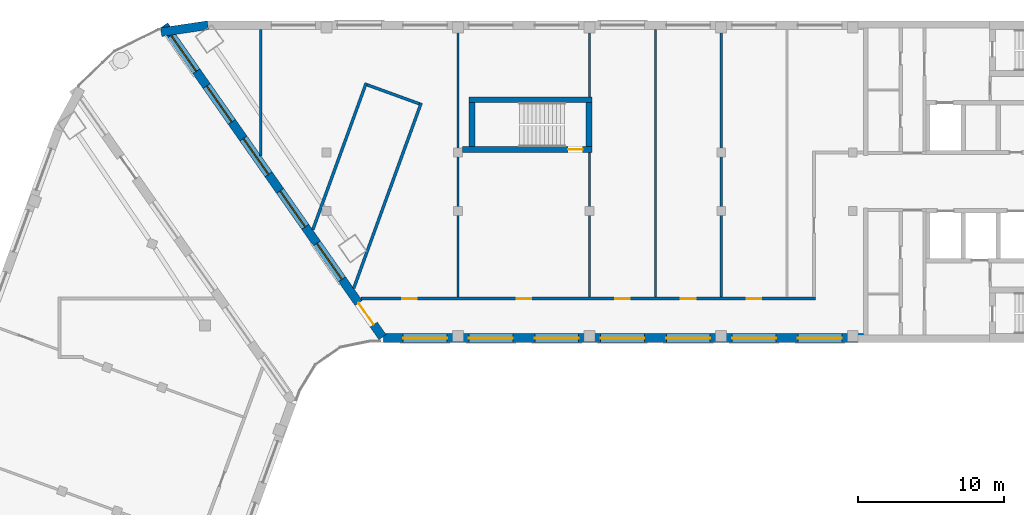
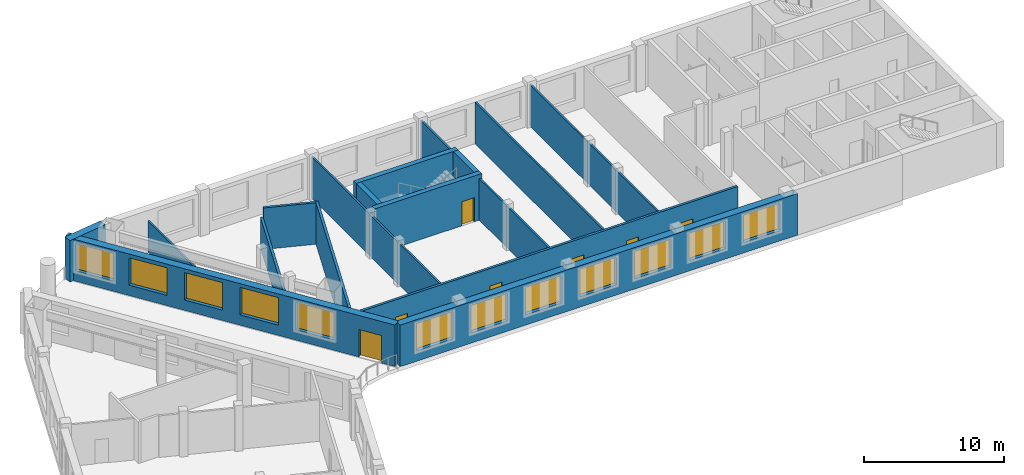
# One storey, part 4 of 11: 17 walls, 12 windows, 7 doors, 19 openings.
"""IFC4 building model written with IfcOpenShell, lengths in metres."""

from ifc_helpers import new_model, si_unit, direction, frame, frame_2d, origin, place, context, subcontext, project, spatial, rectangle, extrude, material, layer, layer_set, type_object, element, fill, save


model = new_model("IFC4")

# Units and contexts
model_context = context("Model", 3, precision=1e-05, world=origin(), true_north=direction((0.0, 1.0)))
body_context = subcontext(model_context, "Body", "Model", "MODEL_VIEW")
ifc_project = project(units=[si_unit("LENGTHUNIT", "METRE"), si_unit("AREAUNIT", "SQUARE_METRE"), si_unit("VOLUMEUNIT", "CUBIC_METRE"), si_unit("PLANEANGLEUNIT", "RADIAN"), si_unit("MASSUNIT", "GRAM", prefix="KILO")], contexts=[model_context])

# Site, building, storey
site_placement = place(None, origin())
site = spatial("IfcSite", under=ifc_project, at=site_placement, CompositionType="ELEMENT")
building_placement = place(site_placement, origin())
building = spatial("IfcBuilding", under=site, at=building_placement, Name="Skarvind Civic Tower", CompositionType="ELEMENT")
storey_placement = place(building_placement, frame((0.0, 0.0, 212.0)))
storey = spatial("IfcBuildingStorey", under=building, at=storey_placement, Name="L50", CompositionType="ELEMENT", Elevation=212.0)

# Wall, opening, door
ifc_material_1 = material(Name="Concrete C60", Category="concrete")
ifc_layer_1 = layer(ifc_material_1, 0.39990234375)
ifc_layer_set_1 = layer_set([ifc_layer_1], Name="Core wall 400 C60")
wall_type_1 = type_object("IfcWallType", Name="Core wall 400 C60", PredefinedType="SHEAR", material=ifc_layer_set_1)
wall_1_placement = place(storey_placement, frame((63.550048828125, 130.199951171875, 0.0), z_axis=(0.0, 0.0, 1.0), x_axis=(1.0, 0.0, 0.0)))
wall_1 = element("IfcWall", 1, at=wall_1_placement, inside=storey, type_object=wall_type_1, Name="Core wall CM inner L50", PredefinedType="SHEAR", context=body_context, shape_type="SweptSolid", body=[
    extrude(rectangle(XDim=8.849853515625, YDim=0.39990234375, at=frame_2d((4.4248046875, 0.0))), origin(), (0.0, 0.0, 1.0), 4.0),
])
opening_1_placement = place(wall_1_placement, frame((7.22509765625, 0.0, 0.0)))
opening_1 = element("IfcOpeningElement", 2, at=opening_1_placement, cuts=wall_1, Name="Opening D-L50-CM-01", PredefinedType="OPENING", context=body_context, shape_type="SweptSolid", body=[
    extrude(rectangle(XDim=1.0, YDim=2.10009765625, at=frame_2d((0.5, 1.050048828125))), frame((0.0, 0.2099609375, 0.0), z_axis=(0.0, -1.0, 0.0), x_axis=(1.0, 0.0, 0.0)), (0.0, 0.0, 1.0), 0.419921875),
])
ifc_material_2 = material(Name="Fire-rated steel door", Category="steel")
door_type_1 = type_object("IfcDoorType", Name="Fire door 1000", OperationType="NOTDEFINED", PredefinedType="DOOR", material=ifc_material_2)
door_1_placement = place(opening_1_placement, origin())
door_1 = element("IfcDoor", 3, at=door_1_placement, inside=storey, type_object=door_type_1, Name="Fire door", OperationType="SINGLE_SWING_LEFT", OverallHeight=2.10009765625, OverallWidth=1.0, PredefinedType="DOOR", context=body_context, shape_type="SweptSolid", body=[
    extrude(rectangle(XDim=1.0, YDim=2.10009765625, at=frame_2d((0.5, 1.050048828125))), frame((0.0, 0.02490234375, 0.0), z_axis=(0.0, -1.0, 0.0), x_axis=(1.0, 0.0, 0.0)), (0.0, 0.0, 1.0), 0.050048828125),
])
fill(opening_1, door_1)

# Walls
wall_2_placement = place(storey_placement, frame((64.0, 133.60009765625, 0.0), z_axis=(0.0, 0.0, 1.0), x_axis=(1.0, 0.0, 0.0)))
element("IfcWall", 4, at=wall_2_placement, inside=storey, type_object=wall_type_1, Name="Core wall CM outer L50", PredefinedType="SHEAR", context=body_context, shape_type="SweptSolid", body=[
    extrude(rectangle(XDim=8.39990234375, YDim=0.39990234375, at=frame_2d((4.199951171875, 0.0))), origin(), (0.0, 0.0, 1.0), 4.0),
])
for number, where, z_axis, x_axis, name in (
    (5, (64.199951171875, 130.39990234375, 0.0), (0.0, 0.0, 1.0), (0.0, 1.0, 0.0), "Core wall CM west L50"),
    (6, (72.199951171875, 130.39990234375, 0.0), (0.0, 0.0, 1.0), (0.0, 1.0, 0.0), "Core wall CM end L50"),
):
    element("IfcWall", number, at=place(storey_placement, frame(where, z_axis=z_axis, x_axis=x_axis)), inside=storey, type_object=wall_type_1, Name=name, PredefinedType="SHEAR", context=body_context, shape_type="SweptSolid", body=[
        extrude(rectangle(XDim=3.0, YDim=0.39990234375, at=frame_2d((1.5, 0.0))), origin(), (0.0, 0.0, 1.0), 4.0),
    ])
ifc_material_3 = material(Name="Fire-rated blockwork wall, plastered", Category="masonry")
ifc_layer_2 = layer(ifc_material_3, 0.199951171875)
ifc_layer_set_2 = layer_set([ifc_layer_2], Name="FIRE WALL 200 EI 60")
wall_type_2 = type_object("IfcWallType", Name="FIRE WALL 200 EI 60", PredefinedType="PARTITIONING", material=ifc_layer_set_2)
wall_3_placement = place(storey_placement, frame((53.31396484375, 124.702880859375, 0.0), z_axis=(0.0, 0.0, 1.0), x_axis=(0.341964791562, 0.939712765334, 0.0)))
element("IfcWall", 7, at=wall_3_placement, inside=storey, type_object=wall_type_2, Name="Portal partition L50 015", PredefinedType="PARTITIONING", context=body_context, shape_type="SweptSolid", body=[
    extrude(rectangle(XDim=10.69677734375, YDim=0.199951171875, at=frame_2d((5.348388671875, 0.0))), origin(), (0.0, 0.0, 1.0), 2.72509765625),
])
wall_4_placement = place(storey_placement, frame((56.114013671875, 120.7041015625, 0.0), z_axis=(0.0, 0.0, 1.0), x_axis=(0.342069822002, 0.939674537739, 0.0)))
element("IfcWall", 8, at=wall_4_placement, inside=storey, type_object=wall_type_2, Name="Portal partition L50 016", PredefinedType="PARTITIONING", context=body_context, shape_type="SweptSolid", body=[
    extrude(rectangle(XDim=13.4970703125, YDim=0.199951171875, at=frame_2d((6.74853515625, 0.0))), origin(), (0.0, 0.0, 1.0), 3.625),
])

# Wall, openings, doors
wall_5_placement = place(storey_placement, frame((56.60693359375, 120.0, 0.0), z_axis=(0.0, 0.0, 1.0), x_axis=(1.0, 0.0, 0.0)))
wall_5 = element("IfcWall", 9, at=wall_5_placement, inside=storey, type_object=wall_type_2, Name="Portal partition L50 017", PredefinedType="PARTITIONING", context=body_context, shape_type="SweptSolid", body=[
    extrude(rectangle(XDim=31.093017578125, YDim=0.199951171875, at=frame_2d((15.54638671875, 0.0))), origin(), (0.0, 0.0, 1.0), 3.625),
])
opening_2_placement = place(wall_5_placement, frame((2.822998046875, 0.0, 0.0)))
opening_2 = element("IfcOpeningElement", 10, at=opening_2_placement, cuts=wall_5, Name="Opening L50-D205", PredefinedType="OPENING", context=body_context, shape_type="SweptSolid", body=[
    extrude(rectangle(XDim=1.0, YDim=2.10009765625, at=frame_2d((0.5, 1.050048828125))), frame((0.0, 0.10986328125, 0.0), z_axis=(0.0, -1.0, 0.0), x_axis=(1.0, 0.0, 0.0)), (0.0, 0.0, 1.0), 0.219970703125),
])
opening_3_placement = place(wall_5_placement, frame((10.64306640625, 0.0, 0.0)))
opening_3 = element("IfcOpeningElement", 11, at=opening_3_placement, cuts=wall_5, Name="Opening L50-D206", PredefinedType="OPENING", context=body_context, shape_type="SweptSolid", body=[
    extrude(rectangle(XDim=1.0, YDim=2.10009765625, at=frame_2d((0.5, 1.050048828125))), frame((0.0, 0.10986328125, 0.0), z_axis=(0.0, -1.0, 0.0), x_axis=(1.0, 0.0, 0.0)), (0.0, 0.0, 1.0), 0.219970703125),
])
opening_4_placement = place(wall_5_placement, frame((17.39306640625, 0.0, 0.0)))
opening_4 = element("IfcOpeningElement", 12, at=opening_4_placement, cuts=wall_5, Name="Opening L50-D207", PredefinedType="OPENING", context=body_context, shape_type="SweptSolid", body=[
    extrude(rectangle(XDim=1.0, YDim=2.10009765625, at=frame_2d((0.5, 1.050048828125))), frame((0.0, 0.10986328125, 0.0), z_axis=(0.0, -1.0, 0.0), x_axis=(1.0, 0.0, 0.0)), (0.0, 0.0, 1.0), 0.219970703125),
])
opening_5_placement = place(wall_5_placement, frame((21.89306640625, 0.0, 0.0)))
opening_5 = element("IfcOpeningElement", 13, at=opening_5_placement, cuts=wall_5, Name="Opening L50-D208", PredefinedType="OPENING", context=body_context, shape_type="SweptSolid", body=[
    extrude(rectangle(XDim=1.0, YDim=2.10009765625, at=frame_2d((0.5, 1.050048828125))), frame((0.0, 0.10986328125, 0.0), z_axis=(0.0, -1.0, 0.0), x_axis=(1.0, 0.0, 0.0)), (0.0, 0.0, 1.0), 0.219970703125),
])
opening_6_placement = place(wall_5_placement, frame((26.39306640625, 0.0, 0.0)))
opening_6 = element("IfcOpeningElement", 14, at=opening_6_placement, cuts=wall_5, Name="Opening L50-D209", PredefinedType="OPENING", context=body_context, shape_type="SweptSolid", body=[
    extrude(rectangle(XDim=1.0, YDim=2.10009765625, at=frame_2d((0.5, 1.050048828125))), frame((0.0, 0.10986328125, 0.0), z_axis=(0.0, -1.0, 0.0), x_axis=(1.0, 0.0, 0.0)), (0.0, 0.0, 1.0), 0.219970703125),
])
ifc_material_4 = material(Name="Painted steel fire door leaf", Category="steel")
door_type_2 = type_object("IfcDoorType", Name="FIRE DOOR 1000X2100 STEEL", OperationType="NOTDEFINED", PredefinedType="DOOR", material=ifc_material_4)
door_2_placement = place(opening_2_placement, origin())
door_2 = element("IfcDoor", 15, at=door_2_placement, inside=storey, type_object=door_type_2, Name="FIRE DOOR", OperationType="SINGLE_SWING_RIGHT", OverallHeight=2.10009765625, OverallWidth=1.0, PredefinedType="DOOR", context=body_context, shape_type="SweptSolid", body=[
    extrude(rectangle(XDim=1.0, YDim=2.10009765625, at=frame_2d((0.5, 1.050048828125))), frame((0.0, 0.02490234375, 0.0), z_axis=(0.0, -1.0, 0.0), x_axis=(1.0, 0.0, 0.0)), (0.0, 0.0, 1.0), 0.050048828125),
])
fill(opening_2, door_2)
door_3_placement = place(opening_3_placement, origin())
door_3 = element("IfcDoor", 16, at=door_3_placement, inside=storey, type_object=door_type_2, Name="FIRE DOOR", OperationType="SINGLE_SWING_LEFT", OverallHeight=2.10009765625, OverallWidth=1.0, PredefinedType="DOOR", context=body_context, shape_type="SweptSolid", body=[
    extrude(rectangle(XDim=1.0, YDim=2.10009765625, at=frame_2d((0.5, 1.050048828125))), frame((0.0, 0.02490234375, 0.0), z_axis=(0.0, -1.0, 0.0), x_axis=(1.0, 0.0, 0.0)), (0.0, 0.0, 1.0), 0.050048828125),
])
fill(opening_3, door_3)
door_4_placement = place(opening_4_placement, origin())
door_4 = element("IfcDoor", 17, at=door_4_placement, inside=storey, type_object=door_type_2, Name="FIRE DOOR", OperationType="SINGLE_SWING_RIGHT", OverallHeight=2.10009765625, OverallWidth=1.0, PredefinedType="DOOR", context=body_context, shape_type="SweptSolid", body=[
    extrude(rectangle(XDim=1.0, YDim=2.10009765625, at=frame_2d((0.5, 1.050048828125))), frame((0.0, 0.02490234375, 0.0), z_axis=(0.0, -1.0, 0.0), x_axis=(1.0, 0.0, 0.0)), (0.0, 0.0, 1.0), 0.050048828125),
])
fill(opening_4, door_4)
door_5_placement = place(opening_5_placement, origin())
door_5 = element("IfcDoor", 18, at=door_5_placement, inside=storey, type_object=door_type_2, Name="FIRE DOOR", OperationType="SINGLE_SWING_LEFT", OverallHeight=2.10009765625, OverallWidth=1.0, PredefinedType="DOOR", context=body_context, shape_type="SweptSolid", body=[
    extrude(rectangle(XDim=1.0, YDim=2.10009765625, at=frame_2d((0.5, 1.050048828125))), frame((0.0, 0.02490234375, 0.0), z_axis=(0.0, -1.0, 0.0), x_axis=(1.0, 0.0, 0.0)), (0.0, 0.0, 1.0), 0.050048828125),
])
fill(opening_5, door_5)
door_6_placement = place(opening_6_placement, origin())
door_6 = element("IfcDoor", 19, at=door_6_placement, inside=storey, type_object=door_type_2, Name="FIRE DOOR", OperationType="SINGLE_SWING_RIGHT", OverallHeight=2.10009765625, OverallWidth=1.0, PredefinedType="DOOR", context=body_context, shape_type="SweptSolid", body=[
    extrude(rectangle(XDim=1.0, YDim=2.10009765625, at=frame_2d((0.5, 1.050048828125))), frame((0.0, 0.02490234375, 0.0), z_axis=(0.0, -1.0, 0.0), x_axis=(1.0, 0.0, 0.0)), (0.0, 0.0, 1.0), 0.050048828125),
])
fill(opening_6, door_6)

# Walls
wall_6_placement = place(storey_placement, frame((57.031982421875, 134.626953125, 0.0), z_axis=(0.0, 0.0, 1.0), x_axis=(0.939667689469, -0.342088633789, 0.0)))
element("IfcWall", 20, at=wall_6_placement, inside=storey, type_object=wall_type_2, Name="Portal partition L50 018", PredefinedType="PARTITIONING", context=body_context, shape_type="SweptSolid", body=[
    extrude(rectangle(XDim=3.80029296875, YDim=0.199951171875, at=frame_2d((1.900146484375, 0.0))), origin(), (0.0, 0.0, 1.0), 3.625),
])
ifc_material_5 = material(Name="Plasterboard partition on steel studs", Category="steel")
ifc_layer_3 = layer(ifc_material_5, 0.14990234375)
ifc_layer_set_3 = layer_set([ifc_layer_3], Name="PARTITION 150")
wall_type_3 = type_object("IfcWallType", Name="PARTITION 150", PredefinedType="PARTITIONING", material=ifc_layer_set_3)
wall_7_placement = place(storey_placement, frame((49.75, 129.77294921875, 0.0), z_axis=(0.0, 0.0, 1.0), x_axis=(0.0, 1.0, 0.0)))
element("IfcWall", 21, at=wall_7_placement, inside=storey, type_object=wall_type_3, Name="Portal partition L50 014", PredefinedType="PARTITIONING", context=body_context, shape_type="SweptSolid", body=[
    extrude(rectangle(XDim=8.626953125, YDim=0.14990234375, at=frame_2d((4.3134765625, 0.0))), origin(), (0.0, 0.0, 1.0), 2.72509765625),
])
wall_8_placement = place(storey_placement, frame((63.25, 120.10009765625, 0.0), z_axis=(0.0, 0.0, 1.0), x_axis=(0.0, 1.0, 0.0)))
element("IfcWall", 22, at=wall_8_placement, inside=storey, type_object=wall_type_3, Name="Portal partition L50 019", PredefinedType="PARTITIONING", context=body_context, shape_type="SweptSolid", body=[
    extrude(rectangle(XDim=18.2998046875, YDim=0.14990234375, at=frame_2d((9.14990234375, 0.0))), origin(), (0.0, 0.0, 1.0), 3.625),
])
wall_9_placement = place(storey_placement, frame((72.25, 120.10009765625, 0.0), z_axis=(0.0, 0.0, 1.0), x_axis=(0.0, 1.0, 0.0)))
element("IfcWall", 23, at=wall_9_placement, inside=storey, type_object=wall_type_3, Name="Portal partition L50 020", PredefinedType="PARTITIONING", context=body_context, shape_type="SweptSolid", body=[
    extrude(rectangle(XDim=9.89990234375, YDim=0.14990234375, at=frame_2d((4.949951171875, 0.0))), origin(), (0.0, 0.0, 1.0), 3.625),
])
wall_10_placement = place(storey_placement, frame((72.25, 133.800048828125, 0.0), z_axis=(0.0, 0.0, 1.0), x_axis=(0.0, 1.0, 0.0)))
element("IfcWall", 24, at=wall_10_placement, inside=storey, type_object=wall_type_3, Name="Portal partition L50 021", PredefinedType="PARTITIONING", context=body_context, shape_type="SweptSolid", body=[
    extrude(rectangle(XDim=4.599853515625, YDim=0.14990234375, at=frame_2d((2.2998046875, 0.0))), origin(), (0.0, 0.0, 1.0), 3.625),
])
for number, where, z_axis, x_axis, name in (
    (25, (76.75, 120.10009765625, 0.0), (0.0, 0.0, 1.0), (0.0, 1.0, 0.0), "Portal partition L50 022"),
    (26, (81.25, 120.10009765625, 0.0), (0.0, 0.0, 1.0), (0.0, 1.0, 0.0), "Portal partition L50 023"),
):
    element("IfcWall", number, at=place(storey_placement, frame(where, z_axis=z_axis, x_axis=x_axis)), inside=storey, type_object=wall_type_3, Name=name, PredefinedType="PARTITIONING", context=body_context, shape_type="SweptSolid", body=[
        extrude(rectangle(XDim=18.2998046875, YDim=0.14990234375, at=frame_2d((9.14990234375, 0.0))), origin(), (0.0, 0.0, 1.0), 3.625),
    ])
ifc_material_6 = material(Name="Limestone masonry cladding on insulated backing", Category="masonry")
ifc_layer_4 = layer(ifc_material_6, 0.60009765625)
ifc_layer_set_4 = layer_set([ifc_layer_4], Name="WX1 STONE FACADE WALL 600")
wall_type_4 = type_object("IfcWallType", Name="WX1 STONE FACADE WALL 600", PredefinedType="SOLIDWALL", material=ifc_layer_set_4)
wall_11_placement = place(storey_placement, frame((42.947021484375, 138.228515625, 0.0), z_axis=(0.0, 0.0, 1.0), x_axis=(0.989119234726, 0.147116074906, 0.0)))
element("IfcWall", 27, at=wall_11_placement, inside=storey, type_object=wall_type_4, Name="STONE FACADE WALL", PredefinedType="SOLIDWALL", context=body_context, shape_type="SweptSolid", body=[
    extrude(rectangle(XDim=3.227783203125, YDim=0.60009765625, at=frame_2d((1.61376953125, 0.0))), origin(), (0.0, 0.0, 1.0), 3.625),
])

# Wall, openings, door, windows
wall_12_placement = place(storey_placement, frame((58.0830078125, 117.36865234375, 0.0), z_axis=(0.0, 0.0, 1.0), x_axis=(-0.573573095716, 0.819154383416, 0.0)))
wall_12 = element("IfcWall", 28, at=wall_12_placement, inside=storey, type_object=wall_type_4, Name="STONE FACADE WALL", PredefinedType="SOLIDWALL", context=body_context, shape_type="SweptSolid", body=[
    extrude(rectangle(XDim=26.037353515625, YDim=0.60009765625, at=frame_2d((13.0185546875, 0.0))), origin(), (0.0, 0.0, 1.0), 3.625),
])
opening_7_placement = place(wall_12_placement, frame((1.0498046875, 0.0, 0.0)))
opening_7 = element("IfcOpeningElement", 29, at=opening_7_placement, cuts=wall_12, Name="Opening DX3", PredefinedType="OPENING", context=body_context, shape_type="SweptSolid", body=[
    extrude(rectangle(XDim=1.800048828125, YDim=2.39990234375, at=frame_2d((0.89990234375, 1.199951171875))), frame((0.0, 0.31005859375, 0.0), z_axis=(0.0, -1.0, 0.0), x_axis=(1.0, 0.0, 0.0)), (0.0, 0.0, 1.0), 0.6201171875),
])
opening_8_placement = place(wall_12_placement, frame((4.829345703125, 0.0, 0.89990234375)))
opening_8 = element("IfcOpeningElement", 30, at=opening_8_placement, cuts=wall_12, Name="Opening WN1", PredefinedType="OPENING", context=body_context, shape_type="SweptSolid", body=[
    extrude(rectangle(XDim=3.0, YDim=2.39990234375, at=frame_2d((1.5, 1.199951171875))), frame((0.0, 0.31005859375, 0.0), z_axis=(0.0, -1.0, 0.0), x_axis=(1.0, 0.0, 0.0)), (0.0, 0.0, 1.0), 0.6201171875),
])
opening_9_placement = place(wall_12_placement, frame((9.208984375, 0.0, 0.89990234375)))
opening_9 = element("IfcOpeningElement", 31, at=opening_9_placement, cuts=wall_12, Name="Opening WN1", PredefinedType="OPENING", context=body_context, shape_type="SweptSolid", body=[
    extrude(rectangle(XDim=3.0, YDim=2.39990234375, at=frame_2d((1.5, 1.199951171875))), frame((0.0, 0.31005859375, 0.0), z_axis=(0.0, -1.0, 0.0), x_axis=(1.0, 0.0, 0.0)), (0.0, 0.0, 1.0), 0.6201171875),
])
opening_10_placement = place(wall_12_placement, frame((13.58837890625, 0.0, 0.89990234375)))
opening_10 = element("IfcOpeningElement", 32, at=opening_10_placement, cuts=wall_12, Name="Opening WN1", PredefinedType="OPENING", context=body_context, shape_type="SweptSolid", body=[
    extrude(rectangle(XDim=3.0, YDim=2.39990234375, at=frame_2d((1.5, 1.199951171875))), frame((0.0, 0.31005859375, 0.0), z_axis=(0.0, -1.0, 0.0), x_axis=(1.0, 0.0, 0.0)), (0.0, 0.0, 1.0), 0.6201171875),
])
opening_11_placement = place(wall_12_placement, frame((17.968017578125, 0.0, 0.89990234375)))
opening_11 = element("IfcOpeningElement", 33, at=opening_11_placement, cuts=wall_12, Name="Opening WN1", PredefinedType="OPENING", context=body_context, shape_type="SweptSolid", body=[
    extrude(rectangle(XDim=3.0, YDim=2.39990234375, at=frame_2d((1.5, 1.199951171875))), frame((0.0, 0.31005859375, 0.0), z_axis=(0.0, -1.0, 0.0), x_axis=(1.0, 0.0, 0.0)), (0.0, 0.0, 1.0), 0.6201171875),
])
opening_12_placement = place(wall_12_placement, frame((22.197509765625, 0.0, 0.89990234375)))
opening_12 = element("IfcOpeningElement", 34, at=opening_12_placement, cuts=wall_12, Name="Opening WN1", PredefinedType="OPENING", context=body_context, shape_type="SweptSolid", body=[
    extrude(rectangle(XDim=3.0, YDim=2.39990234375, at=frame_2d((1.5, 1.199951171875))), frame((0.0, 0.31005859375, 0.0), z_axis=(0.0, -1.0, 0.0), x_axis=(1.0, 0.0, 0.0)), (0.0, 0.0, 1.0), 0.6201171875),
])
ifc_material_7 = material(Name="Timber and glass doorset", Category="wood")
door_type_3 = type_object("IfcDoorType", Name="DX3 TERRACE DOORS 1800 x 2400", OperationType="NOTDEFINED", PredefinedType="DOOR", material=ifc_material_7)
door_7_placement = place(opening_7_placement, origin())
door_7 = element("IfcDoor", 35, at=door_7_placement, inside=storey, type_object=door_type_3, Name="TERRACE DOORS", OperationType="DOUBLE_DOOR_SINGLE_SWING", OverallHeight=2.39990234375, OverallWidth=1.800048828125, PredefinedType="DOOR", context=body_context, shape_type="SweptSolid", body=[
    extrude(rectangle(XDim=1.800048828125, YDim=2.39990234375, at=frame_2d((0.89990234375, 1.199951171875))), frame((0.0, 0.02490234375, 0.0), z_axis=(0.0, -1.0, 0.0), x_axis=(1.0, 0.0, 0.0)), (0.0, 0.0, 1.0), 0.050048828125),
])
fill(opening_7, door_7)
ifc_material_8 = material(Name="Timber frame, double glazing, timber-lined reveal", Category="wood")
window_type = type_object("IfcWindowType", Name="WN1 PUNCHED STONE WINDOW 3000 x 2400", PartitioningType="SINGLE_PANEL", PredefinedType="WINDOW", material=ifc_material_8)
window_1_placement = place(opening_8_placement, origin())
window_1 = element("IfcWindow", 36, at=window_1_placement, inside=storey, type_object=window_type, Name="WN1 WINDOW", OverallHeight=2.39990234375, OverallWidth=3.0, PartitioningType="SINGLE_PANEL", PredefinedType="WINDOW", context=body_context, shape_type="SweptSolid", body=[
    extrude(rectangle(XDim=3.0, YDim=2.39990234375, at=frame_2d((1.5, 1.199951171875))), frame((0.0, 0.030029296875, 0.0), z_axis=(0.0, -1.0, 0.0), x_axis=(1.0, 0.0, 0.0)), (0.0, 0.0, 1.0), 0.06005859375),
])
fill(opening_8, window_1)
window_2_placement = place(opening_9_placement, origin())
window_2 = element("IfcWindow", 37, at=window_2_placement, inside=storey, type_object=window_type, Name="WN1 WINDOW", OverallHeight=2.39990234375, OverallWidth=3.0, PartitioningType="SINGLE_PANEL", PredefinedType="WINDOW", context=body_context, shape_type="SweptSolid", body=[
    extrude(rectangle(XDim=3.0, YDim=2.39990234375, at=frame_2d((1.5, 1.199951171875))), frame((0.0, 0.030029296875, 0.0), z_axis=(0.0, -1.0, 0.0), x_axis=(1.0, 0.0, 0.0)), (0.0, 0.0, 1.0), 0.06005859375),
])
fill(opening_9, window_2)
window_3_placement = place(opening_10_placement, origin())
window_3 = element("IfcWindow", 38, at=window_3_placement, inside=storey, type_object=window_type, Name="WN1 WINDOW", OverallHeight=2.39990234375, OverallWidth=3.0, PartitioningType="SINGLE_PANEL", PredefinedType="WINDOW", context=body_context, shape_type="SweptSolid", body=[
    extrude(rectangle(XDim=3.0, YDim=2.39990234375, at=frame_2d((1.5, 1.199951171875))), frame((0.0, 0.030029296875, 0.0), z_axis=(0.0, -1.0, 0.0), x_axis=(1.0, 0.0, 0.0)), (0.0, 0.0, 1.0), 0.06005859375),
])
fill(opening_10, window_3)
window_4_placement = place(opening_11_placement, origin())
window_4 = element("IfcWindow", 39, at=window_4_placement, inside=storey, type_object=window_type, Name="WN1 WINDOW", OverallHeight=2.39990234375, OverallWidth=3.0, PartitioningType="SINGLE_PANEL", PredefinedType="WINDOW", context=body_context, shape_type="SweptSolid", body=[
    extrude(rectangle(XDim=3.0, YDim=2.39990234375, at=frame_2d((1.5, 1.199951171875))), frame((0.0, 0.030029296875, 0.0), z_axis=(0.0, -1.0, 0.0), x_axis=(1.0, 0.0, 0.0)), (0.0, 0.0, 1.0), 0.06005859375),
])
fill(opening_11, window_4)
window_5_placement = place(opening_12_placement, origin())
window_5 = element("IfcWindow", 40, at=window_5_placement, inside=storey, type_object=window_type, Name="WN1 WINDOW", OverallHeight=2.39990234375, OverallWidth=3.0, PartitioningType="SINGLE_PANEL", PredefinedType="WINDOW", context=body_context, shape_type="SweptSolid", body=[
    extrude(rectangle(XDim=3.0, YDim=2.39990234375, at=frame_2d((1.5, 1.199951171875))), frame((0.0, 0.030029296875, 0.0), z_axis=(0.0, -1.0, 0.0), x_axis=(1.0, 0.0, 0.0)), (0.0, 0.0, 1.0), 0.06005859375),
])
fill(opening_12, window_5)

# Wall, openings, windows
wall_13_placement = place(storey_placement, frame((90.97998046875, 117.300048828125, 0.0), z_axis=(0.0, 0.0, 1.0), x_axis=(-1.0, 0.0, 0.0)))
wall_13 = element("IfcWall", 41, at=wall_13_placement, inside=storey, type_object=wall_type_4, Name="STONE FACADE WALL", PredefinedType="SOLIDWALL", context=body_context, shape_type="SweptSolid", body=[
    extrude(rectangle(XDim=32.844970703125, YDim=0.60009765625, at=frame_2d((16.42236328125, 0.0))), origin(), (0.0, 0.0, 1.0), 3.625),
])
opening_13_placement = place(wall_13_placement, frame((1.47998046875, 0.0, 0.89990234375)))
opening_13 = element("IfcOpeningElement", 42, at=opening_13_placement, cuts=wall_13, Name="Opening WN1", PredefinedType="OPENING", context=body_context, shape_type="SweptSolid", body=[
    extrude(rectangle(XDim=3.0, YDim=2.39990234375, at=frame_2d((1.5, 1.199951171875))), frame((0.0, 0.31005859375, 0.0), z_axis=(0.0, -1.0, 0.0), x_axis=(1.0, 0.0, 0.0)), (0.0, 0.0, 1.0), 0.6201171875),
])
opening_14_placement = place(wall_13_placement, frame((5.97998046875, 0.0, 0.89990234375)))
opening_14 = element("IfcOpeningElement", 43, at=opening_14_placement, cuts=wall_13, Name="Opening WN1", PredefinedType="OPENING", context=body_context, shape_type="SweptSolid", body=[
    extrude(rectangle(XDim=3.0, YDim=2.39990234375, at=frame_2d((1.5, 1.199951171875))), frame((0.0, 0.31005859375, 0.0), z_axis=(0.0, -1.0, 0.0), x_axis=(1.0, 0.0, 0.0)), (0.0, 0.0, 1.0), 0.6201171875),
])
opening_15_placement = place(wall_13_placement, frame((10.47998046875, 0.0, 0.89990234375)))
opening_15 = element("IfcOpeningElement", 44, at=opening_15_placement, cuts=wall_13, Name="Opening WN1", PredefinedType="OPENING", context=body_context, shape_type="SweptSolid", body=[
    extrude(rectangle(XDim=3.0, YDim=2.39990234375, at=frame_2d((1.5, 1.199951171875))), frame((0.0, 0.31005859375, 0.0), z_axis=(0.0, -1.0, 0.0), x_axis=(1.0, 0.0, 0.0)), (0.0, 0.0, 1.0), 0.6201171875),
])
opening_16_placement = place(wall_13_placement, frame((14.97998046875, 0.0, 0.89990234375)))
opening_16 = element("IfcOpeningElement", 45, at=opening_16_placement, cuts=wall_13, Name="Opening WN1", PredefinedType="OPENING", context=body_context, shape_type="SweptSolid", body=[
    extrude(rectangle(XDim=3.0, YDim=2.39990234375, at=frame_2d((1.5, 1.199951171875))), frame((0.0, 0.31005859375, 0.0), z_axis=(0.0, -1.0, 0.0), x_axis=(1.0, 0.0, 0.0)), (0.0, 0.0, 1.0), 0.6201171875),
])
opening_17_placement = place(wall_13_placement, frame((19.47998046875, 0.0, 0.89990234375)))
opening_17 = element("IfcOpeningElement", 46, at=opening_17_placement, cuts=wall_13, Name="Opening WN1", PredefinedType="OPENING", context=body_context, shape_type="SweptSolid", body=[
    extrude(rectangle(XDim=3.0, YDim=2.39990234375, at=frame_2d((1.5, 1.199951171875))), frame((0.0, 0.31005859375, 0.0), z_axis=(0.0, -1.0, 0.0), x_axis=(1.0, 0.0, 0.0)), (0.0, 0.0, 1.0), 0.6201171875),
])
opening_18_placement = place(wall_13_placement, frame((23.97998046875, 0.0, 0.89990234375)))
opening_18 = element("IfcOpeningElement", 47, at=opening_18_placement, cuts=wall_13, Name="Opening WN1", PredefinedType="OPENING", context=body_context, shape_type="SweptSolid", body=[
    extrude(rectangle(XDim=3.0, YDim=2.39990234375, at=frame_2d((1.5, 1.199951171875))), frame((0.0, 0.31005859375, 0.0), z_axis=(0.0, -1.0, 0.0), x_axis=(1.0, 0.0, 0.0)), (0.0, 0.0, 1.0), 0.6201171875),
])
opening_19_placement = place(wall_13_placement, frame((28.47998046875, 0.0, 0.89990234375)))
opening_19 = element("IfcOpeningElement", 48, at=opening_19_placement, cuts=wall_13, Name="Opening WN1", PredefinedType="OPENING", context=body_context, shape_type="SweptSolid", body=[
    extrude(rectangle(XDim=3.0, YDim=2.39990234375, at=frame_2d((1.5, 1.199951171875))), frame((0.0, 0.31005859375, 0.0), z_axis=(0.0, -1.0, 0.0), x_axis=(1.0, 0.0, 0.0)), (0.0, 0.0, 1.0), 0.6201171875),
])
window_6_placement = place(opening_13_placement, origin())
window_6 = element("IfcWindow", 49, at=window_6_placement, inside=storey, type_object=window_type, Name="WN1 WINDOW", OverallHeight=2.39990234375, OverallWidth=3.0, PartitioningType="SINGLE_PANEL", PredefinedType="WINDOW", context=body_context, shape_type="SweptSolid", body=[
    extrude(rectangle(XDim=3.0, YDim=2.39990234375, at=frame_2d((1.5, 1.199951171875))), frame((0.0, 0.030029296875, 0.0), z_axis=(0.0, -1.0, 0.0), x_axis=(1.0, 0.0, 0.0)), (0.0, 0.0, 1.0), 0.06005859375),
])
fill(opening_13, window_6)
window_7_placement = place(opening_14_placement, origin())
window_7 = element("IfcWindow", 50, at=window_7_placement, inside=storey, type_object=window_type, Name="WN1 WINDOW", OverallHeight=2.39990234375, OverallWidth=3.0, PartitioningType="SINGLE_PANEL", PredefinedType="WINDOW", context=body_context, shape_type="SweptSolid", body=[
    extrude(rectangle(XDim=3.0, YDim=2.39990234375, at=frame_2d((1.5, 1.199951171875))), frame((0.0, 0.030029296875, 0.0), z_axis=(0.0, -1.0, 0.0), x_axis=(1.0, 0.0, 0.0)), (0.0, 0.0, 1.0), 0.06005859375),
])
fill(opening_14, window_7)
window_8_placement = place(opening_15_placement, origin())
window_8 = element("IfcWindow", 51, at=window_8_placement, inside=storey, type_object=window_type, Name="WN1 WINDOW", OverallHeight=2.39990234375, OverallWidth=3.0, PartitioningType="SINGLE_PANEL", PredefinedType="WINDOW", context=body_context, shape_type="SweptSolid", body=[
    extrude(rectangle(XDim=3.0, YDim=2.39990234375, at=frame_2d((1.5, 1.199951171875))), frame((0.0, 0.030029296875, 0.0), z_axis=(0.0, -1.0, 0.0), x_axis=(1.0, 0.0, 0.0)), (0.0, 0.0, 1.0), 0.06005859375),
])
fill(opening_15, window_8)
window_9_placement = place(opening_16_placement, origin())
window_9 = element("IfcWindow", 52, at=window_9_placement, inside=storey, type_object=window_type, Name="WN1 WINDOW", OverallHeight=2.39990234375, OverallWidth=3.0, PartitioningType="SINGLE_PANEL", PredefinedType="WINDOW", context=body_context, shape_type="SweptSolid", body=[
    extrude(rectangle(XDim=3.0, YDim=2.39990234375, at=frame_2d((1.5, 1.199951171875))), frame((0.0, 0.030029296875, 0.0), z_axis=(0.0, -1.0, 0.0), x_axis=(1.0, 0.0, 0.0)), (0.0, 0.0, 1.0), 0.06005859375),
])
fill(opening_16, window_9)
window_10_placement = place(opening_17_placement, origin())
window_10 = element("IfcWindow", 53, at=window_10_placement, inside=storey, type_object=window_type, Name="WN1 WINDOW", OverallHeight=2.39990234375, OverallWidth=3.0, PartitioningType="SINGLE_PANEL", PredefinedType="WINDOW", context=body_context, shape_type="SweptSolid", body=[
    extrude(rectangle(XDim=3.0, YDim=2.39990234375, at=frame_2d((1.5, 1.199951171875))), frame((0.0, 0.030029296875, 0.0), z_axis=(0.0, -1.0, 0.0), x_axis=(1.0, 0.0, 0.0)), (0.0, 0.0, 1.0), 0.06005859375),
])
fill(opening_17, window_10)
window_11_placement = place(opening_18_placement, origin())
window_11 = element("IfcWindow", 54, at=window_11_placement, inside=storey, type_object=window_type, Name="WN1 WINDOW", OverallHeight=2.39990234375, OverallWidth=3.0, PartitioningType="SINGLE_PANEL", PredefinedType="WINDOW", context=body_context, shape_type="SweptSolid", body=[
    extrude(rectangle(XDim=3.0, YDim=2.39990234375, at=frame_2d((1.5, 1.199951171875))), frame((0.0, 0.030029296875, 0.0), z_axis=(0.0, -1.0, 0.0), x_axis=(1.0, 0.0, 0.0)), (0.0, 0.0, 1.0), 0.06005859375),
])
fill(opening_18, window_11)
window_12_placement = place(opening_19_placement, origin())
window_12 = element("IfcWindow", 55, at=window_12_placement, inside=storey, type_object=window_type, Name="WN1 WINDOW", OverallHeight=2.39990234375, OverallWidth=3.0, PartitioningType="SINGLE_PANEL", PredefinedType="WINDOW", context=body_context, shape_type="SweptSolid", body=[
    extrude(rectangle(XDim=3.0, YDim=2.39990234375, at=frame_2d((1.5, 1.199951171875))), frame((0.0, 0.030029296875, 0.0), z_axis=(0.0, -1.0, 0.0), x_axis=(1.0, 0.0, 0.0)), (0.0, 0.0, 1.0), 0.06005859375),
])
fill(opening_19, window_12)

save(model, "model.ifc")
